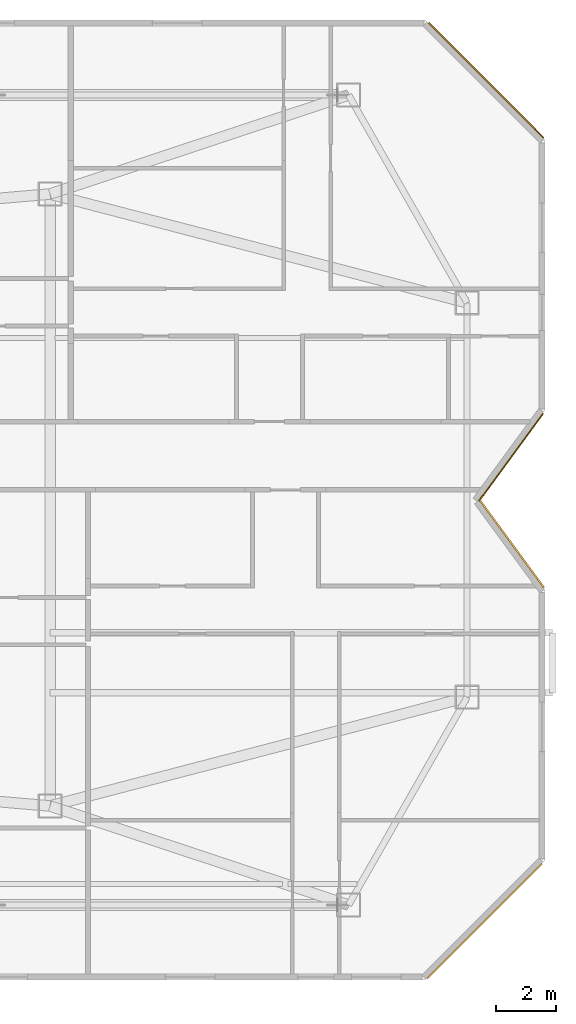
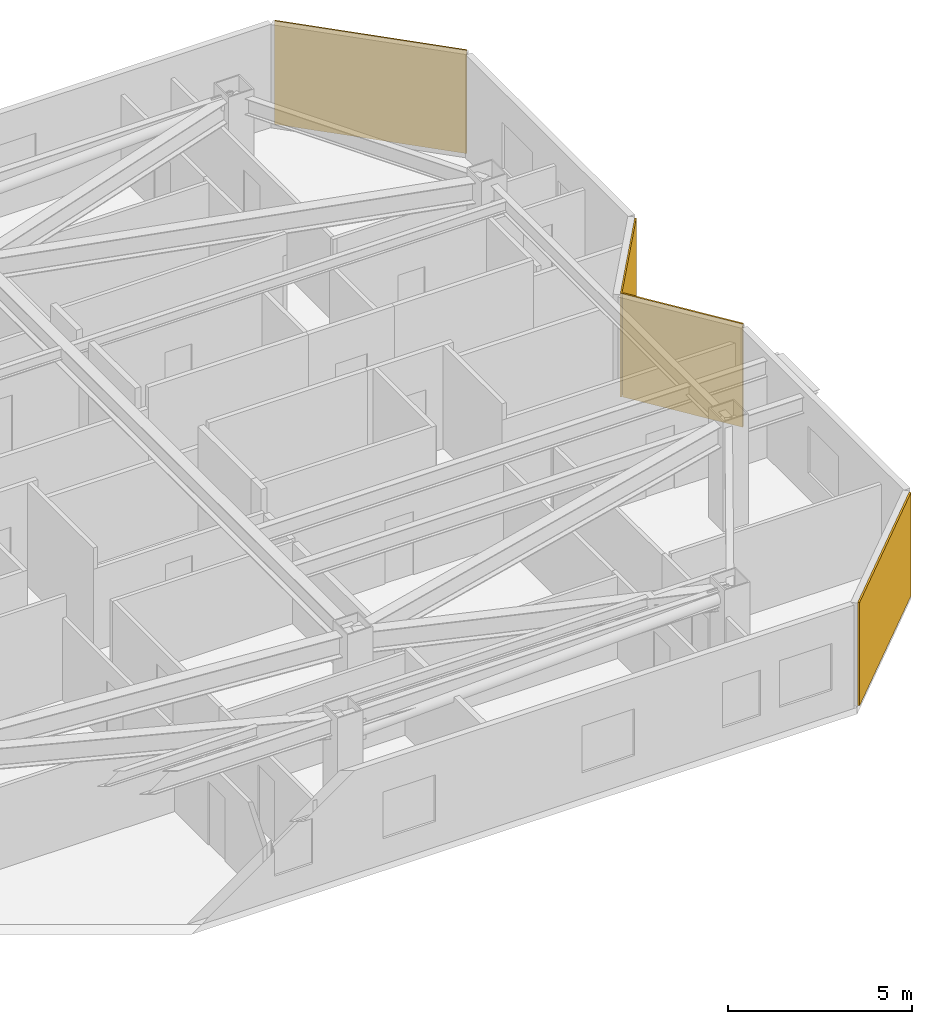
# One storey, part 10 of 10: 4 coverings.
"""IFC4 building model written with IfcOpenShell, lengths in metres."""

from ifc_helpers import new_model, si_unit, direction, frame, origin, origin_2d, place, context, subcontext, project, spatial, rectangle, extrude, material, layer, layer_set, type_object, element, save


model = new_model("IFC4")

# Units and contexts
model_context = context("Model", 3, precision=1e-05, world=origin(), true_north=direction((0.0, 1.0)))
body_context = subcontext(model_context, "Body", "Model", "MODEL_VIEW")
ifc_project = project(units=[si_unit("LENGTHUNIT", "METRE"), si_unit("AREAUNIT", "SQUARE_METRE"), si_unit("VOLUMEUNIT", "CUBIC_METRE"), si_unit("PLANEANGLEUNIT", "RADIAN"), si_unit("MASSUNIT", "GRAM", prefix="KILO")], contexts=[model_context])

# Site, building, storey
site_placement = place(None, origin())
site = spatial("IfcSite", under=ifc_project, at=site_placement, CompositionType="ELEMENT")
building_placement = place(site_placement, origin())
building = spatial("IfcBuilding", under=site, at=building_placement, Name="Khamvora Tower", CompositionType="ELEMENT")
storey_placement = place(building_placement, frame((0.0, 0.0, 257.35009765625)))
storey = spatial("IfcBuildingStorey", under=building, at=storey_placement, Name="L66", CompositionType="ELEMENT", Elevation=257.35009765625)

# Coverings
ifc_material_1 = material(Name="Pale Anodised Aluminium Rainscreen Panel", Category="aluminium")
ifc_layer_1 = layer(ifc_material_1, 0.044921875)
ifc_layer_set_1 = layer_set([ifc_layer_1], Name="Pale Anodised Aluminium Rainscreen Panel")
covering_type_1 = type_object("IfcCoveringType", Name="COV-CLD-ALU", PredefinedType="CLADDING", material=ifc_layer_set_1)
covering_1_placement = place(storey_placement, frame((67.833984375, 41.990966796875, 0.0), z_axis=(0.0, 0.0, 1.0), x_axis=(0.707106781187, -0.707106781187, 0.0)))
element("IfcCovering", 1, at=covering_1_placement, inside=storey, type_object=covering_type_1, Name="L66 chamfer rainscreen cladding 08.1", PredefinedType="CLADDING", context=body_context, shape_type="SweptSolid", body=[
    extrude(rectangle(XDim=5.4130859375, YDim=0.044921875, at=origin_2d()), origin(), (0.0, 0.0, 1.0), 3.429931640625),
])
covering_2_placement = place(storey_placement, frame((68.66796875, 29.426025390625, 0.0), z_axis=(0.0, 0.0, 1.0), x_axis=(-0.591340294061, -0.806422133017, 0.0)))
element("IfcCovering", 2, at=covering_2_placement, inside=storey, type_object=covering_type_1, Name="L66 chamfer rainscreen cladding 10.1", PredefinedType="CLADDING", context=body_context, shape_type="SweptSolid", body=[
    extrude(rectangle(XDim=3.610107421875, YDim=0.044921875, at=origin_2d()), origin(), (0.0, 0.0, 1.0), 3.429931640625),
])
ifc_material_2 = material(Name="Anodised Bronze Aluminium Spandrel Panel", Category="aluminium")
ifc_layer_2 = layer(ifc_material_2, 0.054931640625)
ifc_layer_set_2 = layer_set([ifc_layer_2], Name="Anodised Bronze Aluminium Spandrel Panel")
covering_type_2 = type_object("IfcCoveringType", Name="COV-CLD-BRZ", PredefinedType="CLADDING", material=ifc_layer_set_2)
covering_3_placement = place(storey_placement, frame((68.708984375, 26.51904296875, 0.0), z_axis=(0.0, 0.0, 1.0), x_axis=(0.591257495158, -0.806482841987, 0.0)))
element("IfcCovering", 3, at=covering_3_placement, inside=storey, type_object=covering_type_2, Name="L66 chamfer rainscreen cladding 11.1", PredefinedType="CLADDING", context=body_context, shape_type="SweptSolid", body=[
    extrude(rectangle(XDim=3.574951171875, YDim=0.054931640625, at=origin_2d()), origin(), (0.0, 0.0, 1.0), 3.429931640625),
])
covering_4_placement = place(storey_placement, frame((67.7900390625, 13.965087890625, 0.0), z_axis=(0.0, 0.0, 1.0), x_axis=(-0.707106781187, -0.707106781187, 0.0)))
element("IfcCovering", 4, at=covering_4_placement, inside=storey, type_object=covering_type_2, Name="L66 chamfer rainscreen cladding 13.1", PredefinedType="CLADDING", context=body_context, shape_type="SweptSolid", body=[
    extrude(rectangle(XDim=5.409912109375, YDim=0.054931640625, at=origin_2d()), origin(), (0.0, 0.0, 1.0), 3.429931640625),
])

save(model, "model.ifc")
